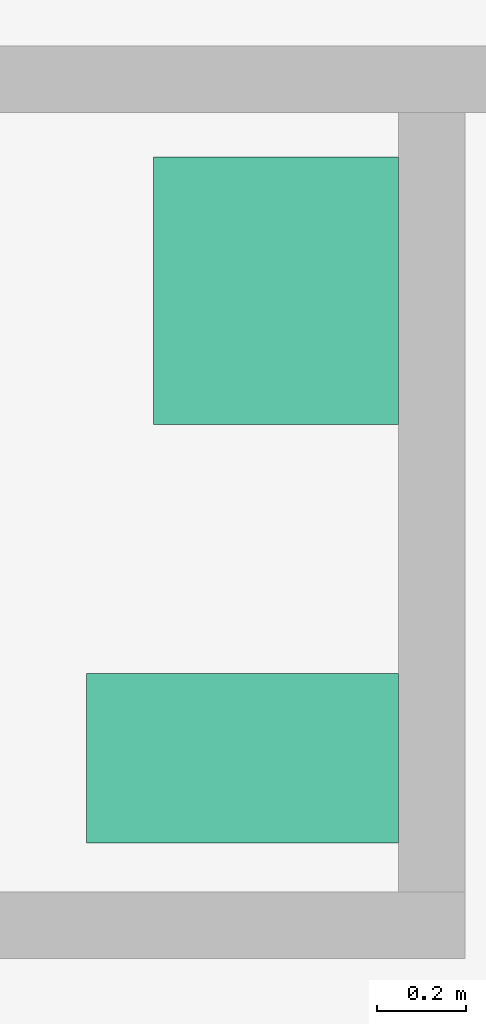
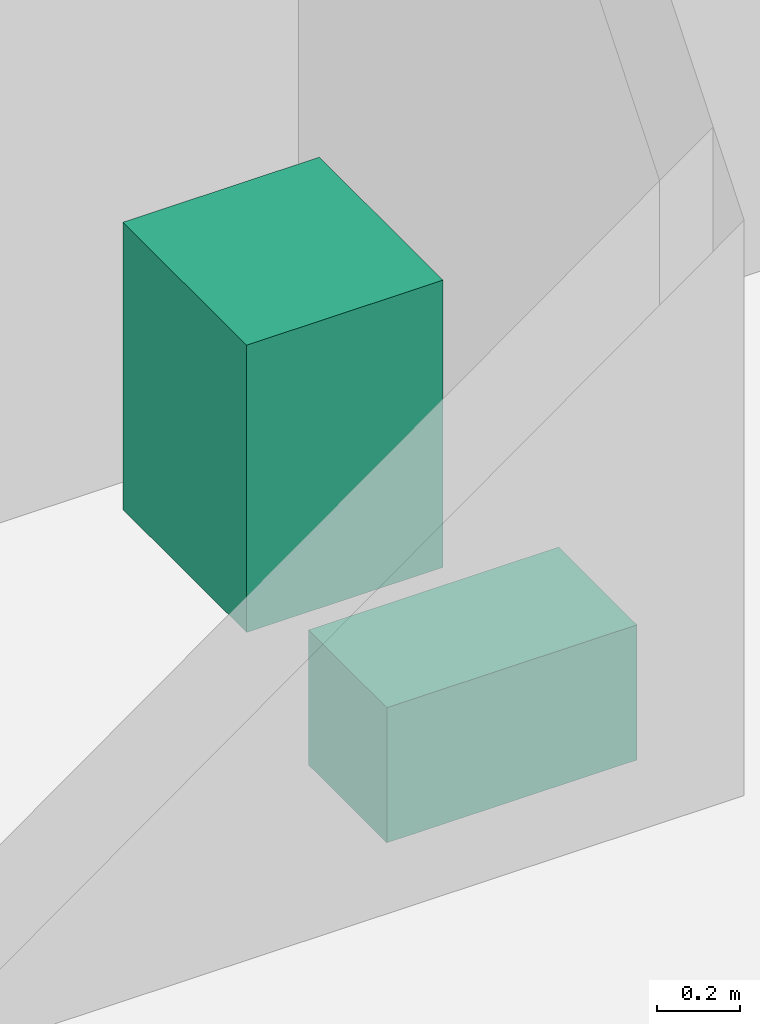
# One storey, part 13 of 13: 2 sanitary terminals.
"""IFC4 building model written with IfcOpenShell, lengths in metres."""

from ifc_helpers import new_model, si_unit, direction, frame, origin, origin_2d, place, context, subcontext, project, spatial, rectangle, extrude, material, element, save


model = new_model("IFC4")

# Units and contexts
model_context = context("Model", 3, precision=1e-05, world=origin(), true_north=direction((0.0, 1.0)))
body_context = subcontext(model_context, "Body", "Model", "MODEL_VIEW")
ifc_project = project(units=[si_unit("LENGTHUNIT", "METRE"), si_unit("AREAUNIT", "SQUARE_METRE"), si_unit("VOLUMEUNIT", "CUBIC_METRE"), si_unit("PLANEANGLEUNIT", "RADIAN"), si_unit("MASSUNIT", "GRAM", prefix="KILO")], contexts=[model_context])

# Site, building, storey
site_placement = place(None, origin())
site = spatial("IfcSite", under=ifc_project, at=site_placement, CompositionType="ELEMENT")
building_placement = place(site_placement, origin())
building = spatial("IfcBuilding", under=site, at=building_placement, Name="Kopane Lantern Tower", CompositionType="ELEMENT")
storey_placement = place(building_placement, frame((0.0, 0.0, 50.0)))
storey = spatial("IfcBuildingStorey", under=building, at=storey_placement, Name="L11", CompositionType="ELEMENT", Elevation=50.0)

# Sanitary terminals
ifc_material = material(Name="Vitreous china")
sanitary_terminal_1_placement = place(storey_placement, frame((34.14990234375, 27.75, 0.0), z_axis=(0.0, 0.0, 1.0), x_axis=(1.0, 0.0, 0.0)))
element("IfcSanitaryTerminal", 1, at=sanitary_terminal_1_placement, inside=storey, material=ifc_material, Name="WC pan L11", PredefinedType="TOILETPAN", context=body_context, shape_type="SweptSolid", body=[
    extrude(rectangle(XDim=0.699951171875, YDim=0.3798828125, at=origin_2d()), origin(), (0.0, 0.0, 1.0), 0.39990234375),
])
sanitary_terminal_2_placement = place(storey_placement, frame((34.22509765625, 28.800048828125, 0.0), z_axis=(0.0, 0.0, 1.0), x_axis=(1.0, 0.0, 0.0)))
element("IfcSanitaryTerminal", 2, at=sanitary_terminal_2_placement, inside=storey, material=ifc_material, Name="Wash basin L11", PredefinedType="WASHHANDBASIN", context=body_context, shape_type="SweptSolid", body=[
    extrude(rectangle(XDim=0.550048828125, YDim=0.60009765625, at=origin_2d()), origin(), (0.0, 0.0, 1.0), 0.85009765625),
])

save(model, "model.ifc")
